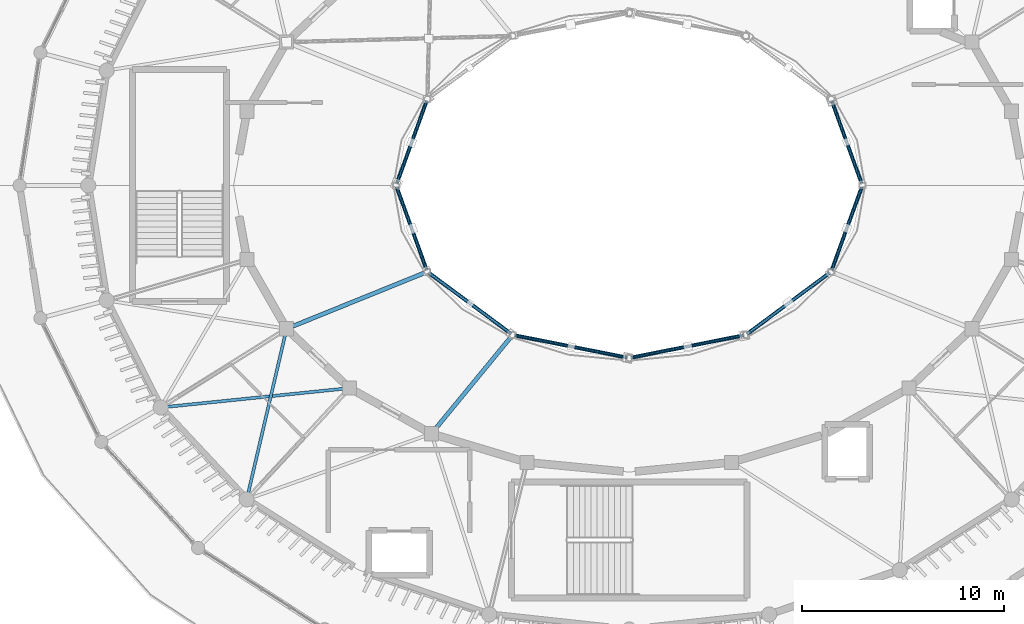
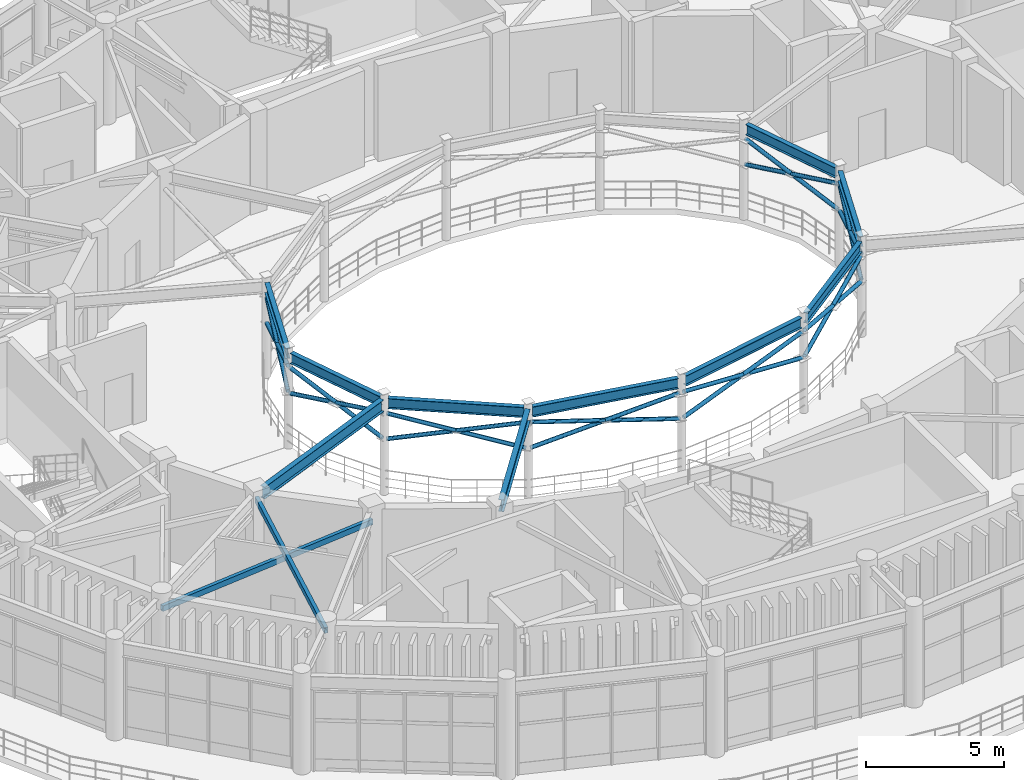
# One storey, part 10 of 45: 26 members, 10 beams.
"""IFC4 building model written with IfcOpenShell, lengths in metres."""

from ifc_helpers import new_model, si_unit, direction, frame, origin, origin_2d, place, context, subcontext, project, spatial, hollow_rectangle, hollow_circle, i_section, extrude, material, material_profile, profile_set, type_object, element, save


model = new_model("IFC4")

# Units and contexts
model_context = context("Model", 3, precision=1e-05, world=origin(), true_north=direction((0.0, 1.0)))
body_context = subcontext(model_context, "Body", "Model", "MODEL_VIEW")
ifc_project = project(units=[si_unit("LENGTHUNIT", "METRE"), si_unit("AREAUNIT", "SQUARE_METRE"), si_unit("VOLUMEUNIT", "CUBIC_METRE"), si_unit("PLANEANGLEUNIT", "RADIAN"), si_unit("MASSUNIT", "GRAM", prefix="KILO")], contexts=[model_context])

# Site, building, storey
site_placement = place(None, origin())
site = spatial("IfcSite", under=ifc_project, at=site_placement, CompositionType="ELEMENT")
building_placement = place(site_placement, origin())
building = spatial("IfcBuilding", under=site, at=building_placement, Name="Cinderbank Siding Concert Hall", CompositionType="ELEMENT")
storey_placement = place(building_placement, frame((0.0, 0.0, 19.199951171875)))
storey = spatial("IfcBuildingStorey", under=building, at=storey_placement, Name="L05", CompositionType="ELEMENT", Elevation=19.199951171875)

# Beams
ifc_material_1 = material(Name="Structural steel AS/NZS 3679.1 Grade 350 (340 MPa)", Category="steel")
ifc_material_profile_1 = material_profile(ifc_material_1, i_section(OverallWidth=0.18994140625, OverallDepth=0.45751953125, WebThickness=0.009033203125, FlangeThickness=0.014404296875, at=origin_2d()), Name="460UB74.6", Category="LoadBearing")
ifc_profile_set_1 = profile_set([ifc_material_profile_1], Name="Structural steel AS/NZS 3679.1 Grade 350 (340 MPa)")
beam_type_1 = type_object("IfcBeamType", Name="BM-UB460 460UB74.6", PredefinedType="BEAM", material=ifc_profile_set_1)
for number, where, z_axis, x_axis, name in (
    (1, (133.49755859375, 44.144775390625, 4.0234375), (-0.340369084131, 0.940291915613, 0.0), (-0.940291915613, -0.340369084131, 0.0), "L05 Beam BM-UB460 #208"),
    (2, (111.945068359375, 48.130126953125, 4.0234375), (-0.340369084131, -0.940291915613, 0.0), (0.940291915613, -0.340369084131, 0.0), "L05 Beam BM-UB460 #215"),
    (3, (110.50244140625, 43.855224609375, 4.0234375), (0.340369084131, -0.940291915613, 0.0), (0.940291915613, 0.340369084131, 0.0), "L05 Beam BM-UB460 #217"),
):
    element("IfcBeam", number, at=place(storey_placement, frame(where, z_axis=z_axis, x_axis=x_axis)), inside=storey, type_object=beam_type_1, Name=name, PredefinedType="BEAM", context=body_context, shape_type="SweptSolid", body=[
        extrude(i_section(OverallWidth=0.18994140625, OverallDepth=0.45751953125, WebThickness=0.009033203125, FlangeThickness=0.014404296875, at=origin_2d()), origin(), (0.0, 0.0, 1.0), 4.238525390625),
    ])
beam_1_placement = place(storey_placement, frame((112.12109375, 39.63330078125, 4.0234375), z_axis=(0.803752781555, -0.594963415801, 0.0), x_axis=(0.594963415801, 0.803752781555, 0.0)))
element("IfcBeam", 4, at=beam_1_placement, inside=storey, type_object=beam_type_1, Name="L05 Beam BM-UB460 #218", PredefinedType="BEAM", context=body_context, shape_type="SweptSolid", body=[
    extrude(i_section(OverallWidth=0.18994140625, OverallDepth=0.45751953125, WebThickness=0.009033203125, FlangeThickness=0.014404296875, at=origin_2d()), origin(), (0.0, 0.0, 1.0), 4.9521484375),
])
for number, where, z_axis, x_axis, name in (
    (5, (116.3759765625, 36.5654296875, 4.0234375), (0.980895780778, -0.194533974545, 0.0), (0.194533974545, 0.980895780778, 0.0), "L05 Beam BM-UB460 #220"),
    (6, (122.15087890625, 35.47998046875, 4.0234375), (0.980895780778, 0.194533974545, 0.0), (-0.194533974545, 0.980895780778, 0.0), "L05 Beam BM-UB460 #222"),
):
    element("IfcBeam", number, at=place(storey_placement, frame(where, z_axis=z_axis, x_axis=x_axis)), inside=storey, type_object=beam_type_1, Name=name, PredefinedType="BEAM", context=body_context, shape_type="SweptSolid", body=[
        extrude(i_section(OverallWidth=0.18994140625, OverallDepth=0.45751953125, WebThickness=0.009033203125, FlangeThickness=0.014404296875, at=origin_2d()), origin(), (0.0, 0.0, 1.0), 5.579833984375),
    ])
beam_2_placement = place(storey_placement, frame((127.898681640625, 36.68701171875, 4.0234375), z_axis=(0.803752781555, 0.594963415801, 0.0), x_axis=(-0.594963415801, 0.803752781555, 0.0)))
element("IfcBeam", 7, at=beam_2_placement, inside=storey, type_object=beam_type_1, Name="L05 Beam BM-UB460 #223", PredefinedType="BEAM", context=body_context, shape_type="SweptSolid", body=[
    extrude(i_section(OverallWidth=0.18994140625, OverallDepth=0.45751953125, WebThickness=0.009033203125, FlangeThickness=0.014404296875, at=origin_2d()), origin(), (0.0, 0.0, 1.0), 4.9521484375),
])
beam_3_placement = place(storey_placement, frame((132.054931640625, 39.869873046875, 4.0234375), z_axis=(0.340369084131, 0.940291915613, 0.0), x_axis=(-0.940291915613, 0.340369084131, 0.0)))
element("IfcBeam", 8, at=beam_3_placement, inside=storey, type_object=beam_type_1, Name="L05 Beam BM-UB460 #224", PredefinedType="BEAM", context=body_context, shape_type="SweptSolid", body=[
    extrude(i_section(OverallWidth=0.18994140625, OverallDepth=0.45751953125, WebThickness=0.009033203125, FlangeThickness=0.014404296875, at=origin_2d()), origin(), (0.0, 0.0, 1.0), 4.238525390625),
])
ifc_material_profile_2 = material_profile(ifc_material_1, i_section(OverallWidth=0.208984375, OverallDepth=0.5283203125, WebThickness=0.009521484375, FlangeThickness=0.01318359375, at=origin_2d()), Name="530UB82.0", Category="LoadBearing")
ifc_profile_set_2 = profile_set([ifc_material_profile_2], Name="Structural steel AS/NZS 3679.1 Grade 350 (340 MPa)")
beam_type_2 = type_object("IfcBeamType", Name="BM-UB530 530UB82.0", PredefinedType="BEAM", material=ifc_profile_set_2)
beam_4_placement = place(storey_placement, frame((111.854736328125, 39.667236328125, 3.988037109375), z_axis=(-0.926787327391, -0.375586541008, 0.0), x_axis=(0.375586541008, -0.926787327391, 0.0)))
element("IfcBeam", 9, at=beam_4_placement, inside=storey, type_object=beam_type_2, Name="L05 Beam BM-UB530 #219", PredefinedType="BEAM", context=body_context, shape_type="SweptSolid", body=[
    extrude(i_section(OverallWidth=0.208984375, OverallDepth=0.5283203125, WebThickness=0.009521484375, FlangeThickness=0.01318359375, at=origin_2d()), origin(), (0.0, 0.0, 1.0), 7.026123046875),
])
beam_5_placement = place(storey_placement, frame((116.127197265625, 36.4765625, 3.988037109375), z_axis=(-0.635282201884, -0.772280081298, 0.0), x_axis=(0.772280081298, -0.635282201884, 0.0)))
element("IfcBeam", 10, at=beam_5_placement, inside=storey, type_object=beam_type_2, Name="L05 Beam BM-UB530 #221", PredefinedType="BEAM", context=body_context, shape_type="SweptSolid", body=[
    extrude(i_section(OverallWidth=0.208984375, OverallDepth=0.5283203125, WebThickness=0.009521484375, FlangeThickness=0.01318359375, at=origin_2d()), origin(), (0.0, 0.0, 1.0), 5.83984375),
])

# Members
ifc_material_2 = material(Name="Structural steel hollow section AS/NZS 1163 Grade C350L0 (350 MPa)", Category="steel")
ifc_material_profile_3 = material_profile(ifc_material_2, hollow_circle(Radius=0.084228515625, WallThickness=0.007080078125, at=origin_2d()), Name="168.3x7.1CHS", Category="LoadBearing")
ifc_profile_set_3 = profile_set([ifc_material_profile_3], Name="Structural steel hollow section AS/NZS 1163 Grade C350L0 (350 MPa)")
member_type_1 = type_object("IfcMemberType", Name="BR-CHS168 168.3x7.1CHS Roof Truss", PredefinedType="BRACE", material=ifc_profile_set_3)
member_1_placement = place(storey_placement, frame((133.522705078125, 44.0751953125, 2.400146484375), z_axis=(-0.329411541196, 0.910070086175, 0.251516350914), x_axis=(-0.940297792876, -0.340352847368, 0.0)))
element("IfcMember", 11, at=member_1_placement, inside=storey, type_object=member_type_1, Name="L05 Diagonal Brace BR-CHS168 #RKCR-BR-CHS168-L05-2124", PredefinedType="BRACE", context=body_context, shape_type="SweptSolid", body=[
    extrude(hollow_circle(Radius=0.084228515625, WallThickness=0.007080078125, at=origin_2d()), origin(), (0.0, 0.0, 1.0), 4.531982421875),
])
for number, where, z_axis, x_axis, name in (
    (12, (132.02978515625, 48.19970703125, 2.400146484375), (0.329486189755, -0.910045628123, 0.25150706848), (0.94027017902, 0.340429126905, 0.0), "L05 Diagonal Brace BR-CHS168 #RKCR-BR-CHS168-L05-2125"),
    (13, (132.78125, 46.123779296875, 2.973876953125), (0.329389503602, -0.91007814446, 0.25151605494), (0.94030604409, 0.340330050757, 0.0), "L05 Diagonal Brace BR-CHS168 #RKCR-BR-CHS168-L05-2125-S216"),
):
    element("IfcMember", number, at=place(storey_placement, frame(where, z_axis=z_axis, x_axis=x_axis)), inside=storey, type_object=member_type_1, Name=name, PredefinedType="BRACE", context=body_context, shape_type="SweptSolid", body=[
        extrude(hollow_circle(Radius=0.084228515625, WallThickness=0.007080078125, at=origin_2d()), origin(), (0.0, 0.0, 1.0), 2.2509765625),
    ])
member_2_placement = place(storey_placement, frame((111.97021484375, 48.19970703125, 2.400146484375), z_axis=(-0.329411541196, -0.910070086175, 0.251516350914), x_axis=(0.940297792876, -0.340352847368, 0.0)))
element("IfcMember", 14, at=member_2_placement, inside=storey, type_object=member_type_1, Name="L05 Diagonal Brace BR-CHS168 #RKCR-BR-CHS168-L05-2136", PredefinedType="BRACE", context=body_context, shape_type="SweptSolid", body=[
    extrude(hollow_circle(Radius=0.084228515625, WallThickness=0.007080078125, at=origin_2d()), origin(), (0.0, 0.0, 1.0), 4.531982421875),
])
for number, where, z_axis, x_axis, name in (
    (15, (110.477294921875, 44.0751953125, 2.400146484375), (0.329389503602, 0.91007814446, 0.25151605494), (-0.94030604409, 0.340330050757, 0.0), "L05 Diagonal Brace BR-CHS168 #RKCR-BR-CHS168-L05-2137"),
    (16, (111.228515625, 46.151123046875, 2.973876953125), (0.329486189755, 0.910045628123, 0.25150706848), (-0.94027017902, 0.340429126905, 0.0), "L05 Diagonal Brace BR-CHS168 #RKCR-BR-CHS168-L05-2137-S222"),
):
    element("IfcMember", number, at=place(storey_placement, frame(where, z_axis=z_axis, x_axis=x_axis)), inside=storey, type_object=member_type_1, Name=name, PredefinedType="BRACE", context=body_context, shape_type="SweptSolid", body=[
        extrude(hollow_circle(Radius=0.084228515625, WallThickness=0.007080078125, at=origin_2d()), origin(), (0.0, 0.0, 1.0), 2.2509765625),
    ])
member_3_placement = place(storey_placement, frame((110.477294921875, 43.9248046875, 2.400146484375), z_axis=(0.329411541196, -0.910070086175, 0.251516350914), x_axis=(0.940297792876, 0.340352847368, 0.0)))
element("IfcMember", 17, at=member_3_placement, inside=storey, type_object=member_type_1, Name="L05 Diagonal Brace BR-CHS168 #RKCR-BR-CHS168-L05-2138", PredefinedType="BRACE", context=body_context, shape_type="SweptSolid", body=[
    extrude(hollow_circle(Radius=0.084228515625, WallThickness=0.007080078125, at=origin_2d()), origin(), (0.0, 0.0, 1.0), 4.531982421875),
])
for number, where, z_axis, x_axis, name in (
    (18, (111.97021484375, 39.80029296875, 2.400146484375), (-0.329486189755, 0.910045628123, 0.25150706848), (-0.94027017902, -0.340429126905, 0.0), "L05 Diagonal Brace BR-CHS168 #RKCR-BR-CHS168-L05-2139"),
    (19, (111.21875, 41.876220703125, 2.973876953125), (-0.329389503602, 0.91007814446, 0.25151605494), (-0.94030604409, -0.340330050757, 0.0), "L05 Diagonal Brace BR-CHS168 #RKCR-BR-CHS168-L05-2139-S223"),
):
    element("IfcMember", number, at=place(storey_placement, frame(where, z_axis=z_axis, x_axis=x_axis)), inside=storey, type_object=member_type_1, Name=name, PredefinedType="BRACE", context=body_context, shape_type="SweptSolid", body=[
        extrude(hollow_circle(Radius=0.084228515625, WallThickness=0.007080078125, at=origin_2d()), origin(), (0.0, 0.0, 1.0), 2.2509765625),
    ])
member_4_placement = place(storey_placement, frame((112.061767578125, 39.677490234375, 2.400146484375), z_axis=(0.784369910815, -0.580673871078, 0.218132295765), x_axis=(0.595001989932, 0.803724226322, 0.0)))
element("IfcMember", 20, at=member_4_placement, inside=storey, type_object=member_type_1, Name="L05 Diagonal Brace BR-CHS168 #RKCR-BR-CHS168-L05-2140", PredefinedType="BRACE", context=body_context, shape_type="SweptSolid", body=[
    extrude(hollow_circle(Radius=0.084228515625, WallThickness=0.007080078125, at=origin_2d()), origin(), (0.0, 0.0, 1.0), 5.2255859375),
])
for number, where, z_axis, x_axis, name in (
    (21, (116.16064453125, 36.64306640625, 2.400146484375), (-0.784352777564, 0.580699234671, 0.218126383504), (-0.595027173666, -0.803705582038, 0.0), "L05 Diagonal Brace BR-CHS168 #RKCR-BR-CHS168-L05-2141"),
    (22, (114.099365234375, 38.1689453125, 2.973388671875), (-0.784352777564, 0.580699234671, 0.218126383504), (-0.595027173666, -0.803705582038, 0.0), "L05 Diagonal Brace BR-CHS168 #RKCR-BR-CHS168-L05-2141-S224"),
):
    element("IfcMember", number, at=place(storey_placement, frame(where, z_axis=z_axis, x_axis=x_axis)), inside=storey, type_object=member_type_1, Name=name, PredefinedType="BRACE", context=body_context, shape_type="SweptSolid", body=[
        extrude(hollow_circle(Radius=0.084228515625, WallThickness=0.007080078125, at=origin_2d()), origin(), (0.0, 0.0, 1.0), 2.597900390625),
    ])
member_5_placement = place(storey_placement, frame((116.303466796875, 36.579833984375, 2.400146484375), z_axis=(0.962024071577, -0.190807781612, 0.195197531189), x_axis=(0.194550158365, 0.980892571019, 0.0)))
element("IfcMember", 23, at=member_5_placement, inside=storey, type_object=member_type_1, Name="L05 Diagonal Brace BR-CHS168 #RKCR-BR-CHS168-L05-2142", PredefinedType="BRACE", context=body_context, shape_type="SweptSolid", body=[
    extrude(hollow_circle(Radius=0.084228515625, WallThickness=0.007080078125, at=origin_2d()), origin(), (0.0, 0.0, 1.0), 5.839599609375),
])
member_6_placement = place(storey_placement, frame((121.92138671875, 35.465576171875, 2.400146484375), z_axis=(-0.962018451096, 0.1908740086, 0.195160479071), x_axis=(-0.194616221116, -0.980879465826, 0.0)))
element("IfcMember", 24, at=member_6_placement, inside=storey, type_object=member_type_1, Name="L05 Diagonal Brace BR-CHS168 #RKCR-BR-CHS168-L05-2143", PredefinedType="BRACE", context=body_context, shape_type="SweptSolid", body=[
    extrude(hollow_circle(Radius=0.084228515625, WallThickness=0.007080078125, at=origin_2d()), origin(), (0.0, 0.0, 1.0), 2.90478515625),
])
member_7_placement = place(storey_placement, frame((119.09814453125, 36.025634765625, 2.972900390625), z_axis=(-0.96202436034, 0.190774464748, 0.195228670313), x_axis=(-0.194517417313, -0.980899064309, 0.0)))
element("IfcMember", 25, at=member_7_placement, inside=storey, type_object=member_type_1, Name="L05 Diagonal Brace BR-CHS168 #RKCR-BR-CHS168-L05-2143-S225", PredefinedType="BRACE", context=body_context, shape_type="SweptSolid", body=[
    extrude(hollow_circle(Radius=0.084228515625, WallThickness=0.007080078125, at=origin_2d()), origin(), (0.0, 0.0, 1.0), 2.905029296875),
])
member_8_placement = place(storey_placement, frame((122.07861328125, 35.465576171875, 2.400146484375), z_axis=(0.962024071577, 0.190807781612, 0.195197531189), x_axis=(-0.194550158365, 0.980892571019, 0.0)))
element("IfcMember", 26, at=member_8_placement, inside=storey, type_object=member_type_1, Name="L05 Diagonal Brace BR-CHS168 #RKCR-BR-CHS168-L05-2144", PredefinedType="BRACE", context=body_context, shape_type="SweptSolid", body=[
    extrude(hollow_circle(Radius=0.084228515625, WallThickness=0.007080078125, at=origin_2d()), origin(), (0.0, 0.0, 1.0), 5.839599609375),
])
member_9_placement = place(storey_placement, frame((127.696533203125, 36.579833984375, 2.400146484375), z_axis=(-0.962040141585, -0.190777594252, 0.195147829891), x_axis=(0.194517417313, -0.980899064309, 0.0)))
element("IfcMember", 27, at=member_9_placement, inside=storey, type_object=member_type_1, Name="L05 Diagonal Brace BR-CHS168 #RKCR-BR-CHS168-L05-2145", PredefinedType="BRACE", context=body_context, shape_type="SweptSolid", body=[
    extrude(hollow_circle(Radius=0.084228515625, WallThickness=0.007080078125, at=origin_2d()), origin(), (0.0, 0.0, 1.0), 2.905029296875),
])
member_10_placement = place(storey_placement, frame((124.873046875, 36.02001953125, 2.972900390625), z_axis=(-0.962002668162, -0.190870877109, 0.195241324318), x_axis=(0.194616221116, -0.980879465826, 0.0)))
element("IfcMember", 28, at=member_10_placement, inside=storey, type_object=member_type_1, Name="L05 Diagonal Brace BR-CHS168 #RKCR-BR-CHS168-L05-2145-S226", PredefinedType="BRACE", context=body_context, shape_type="SweptSolid", body=[
    extrude(hollow_circle(Radius=0.084228515625, WallThickness=0.007080078125, at=origin_2d()), origin(), (0.0, 0.0, 1.0), 2.90478515625),
])
member_11_placement = place(storey_placement, frame((127.83935546875, 36.64306640625, 2.400146484375), z_axis=(0.784369910815, 0.580673871078, 0.218132295765), x_axis=(-0.595001989932, 0.803724226322, 0.0)))
element("IfcMember", 29, at=member_11_placement, inside=storey, type_object=member_type_1, Name="L05 Diagonal Brace BR-CHS168 #RKCR-BR-CHS168-L05-2146", PredefinedType="BRACE", context=body_context, shape_type="SweptSolid", body=[
    extrude(hollow_circle(Radius=0.084228515625, WallThickness=0.007080078125, at=origin_2d()), origin(), (0.0, 0.0, 1.0), 5.2255859375),
])
for number, where, z_axis, x_axis, name in (
    (30, (131.938232421875, 39.677490234375, 2.400146484375), (-0.784352777564, -0.580699234671, 0.218126383504), (0.595027173666, -0.803705582038, 0.0), "L05 Diagonal Brace BR-CHS168 #RKCR-BR-CHS168-L05-2147"),
    (31, (129.876953125, 38.151611328125, 2.973388671875), (-0.784352777564, -0.580699234671, 0.218126383504), (0.595027173666, -0.803705582038, 0.0), "L05 Diagonal Brace BR-CHS168 #RKCR-BR-CHS168-L05-2147-S227"),
):
    element("IfcMember", number, at=place(storey_placement, frame(where, z_axis=z_axis, x_axis=x_axis)), inside=storey, type_object=member_type_1, Name=name, PredefinedType="BRACE", context=body_context, shape_type="SweptSolid", body=[
        extrude(hollow_circle(Radius=0.084228515625, WallThickness=0.007080078125, at=origin_2d()), origin(), (0.0, 0.0, 1.0), 2.597900390625),
    ])
member_12_placement = place(storey_placement, frame((132.02978515625, 39.80029296875, 2.400146484375), z_axis=(0.329411541196, 0.910070086175, 0.251516350914), x_axis=(-0.940297792876, 0.340352847368, 0.0)))
element("IfcMember", 32, at=member_12_placement, inside=storey, type_object=member_type_1, Name="L05 Diagonal Brace BR-CHS168 #RKCR-BR-CHS168-L05-2148", PredefinedType="BRACE", context=body_context, shape_type="SweptSolid", body=[
    extrude(hollow_circle(Radius=0.084228515625, WallThickness=0.007080078125, at=origin_2d()), origin(), (0.0, 0.0, 1.0), 4.531982421875),
])
for number, where, z_axis, x_axis, name in (
    (33, (133.522705078125, 43.9248046875, 2.400146484375), (-0.329389503602, -0.91007814446, 0.25151605494), (0.94030604409, -0.340330050757, 0.0), "L05 Diagonal Brace BR-CHS168 #RKCR-BR-CHS168-L05-2149"),
    (34, (132.771484375, 41.848876953125, 2.973876953125), (-0.329486189755, -0.910045628123, 0.25150706848), (0.94027017902, -0.340429126905, 0.0), "L05 Diagonal Brace BR-CHS168 #RKCR-BR-CHS168-L05-2149-S228"),
):
    element("IfcMember", number, at=place(storey_placement, frame(where, z_axis=z_axis, x_axis=x_axis)), inside=storey, type_object=member_type_1, Name=name, PredefinedType="BRACE", context=body_context, shape_type="SweptSolid", body=[
        extrude(hollow_circle(Radius=0.084228515625, WallThickness=0.007080078125, at=origin_2d()), origin(), (0.0, 0.0, 1.0), 2.2509765625),
    ])
ifc_material_profile_4 = material_profile(ifc_material_2, hollow_rectangle(XDim=0.14990234375, YDim=0.25, WallThickness=0.009033203125, at=origin_2d()), Name="250x150x9.0RHS", Category="LoadBearing")
ifc_profile_set_4 = profile_set([ifc_material_profile_4], Name="Structural steel hollow section AS/NZS 1163 Grade C350L0 (350 MPa)")
member_type_2 = type_object("IfcMemberType", Name="TR-RHS250 250x150x9.0RHS Roof Truss", PredefinedType="RAFTER", material=ifc_profile_set_4)
member_13_placement = place(storey_placement, frame((105.02587890625, 36.89990234375, 3.880126953125), z_axis=(-0.227577092084, -0.973760066525, 0.0), x_axis=(0.973760066525, -0.227577092084, 0.0)))
element("IfcMember", 35, at=member_13_placement, inside=storey, type_object=member_type_2, Name="L05 Roof Truss Member TR-RHS250 #2314", PredefinedType="RAFTER", context=body_context, shape_type="SweptSolid", body=[
    extrude(hollow_rectangle(XDim=0.14990234375, YDim=0.25, WallThickness=0.009033203125, at=origin_2d()), origin(), (0.0, 0.0, 1.0), 8.68408203125),
])
member_14_placement = place(storey_placement, frame((108.140625, 33.958984375, 3.60009765625), z_axis=(-0.994781438611, -0.102028865499, 0.0), x_axis=(0.102028865499, -0.994781438611, 0.0)))
element("IfcMember", 36, at=member_14_placement, inside=storey, type_object=member_type_2, Name="L05 Roof Truss Member TR-RHS250 #2315", PredefinedType="RAFTER", context=body_context, shape_type="SweptSolid", body=[
    extrude(hollow_rectangle(XDim=0.14990234375, YDim=0.25, WallThickness=0.009033203125, at=origin_2d()), origin(), (0.0, 0.0, 1.0), 9.399169921875),
])

save(model, "model.ifc")
